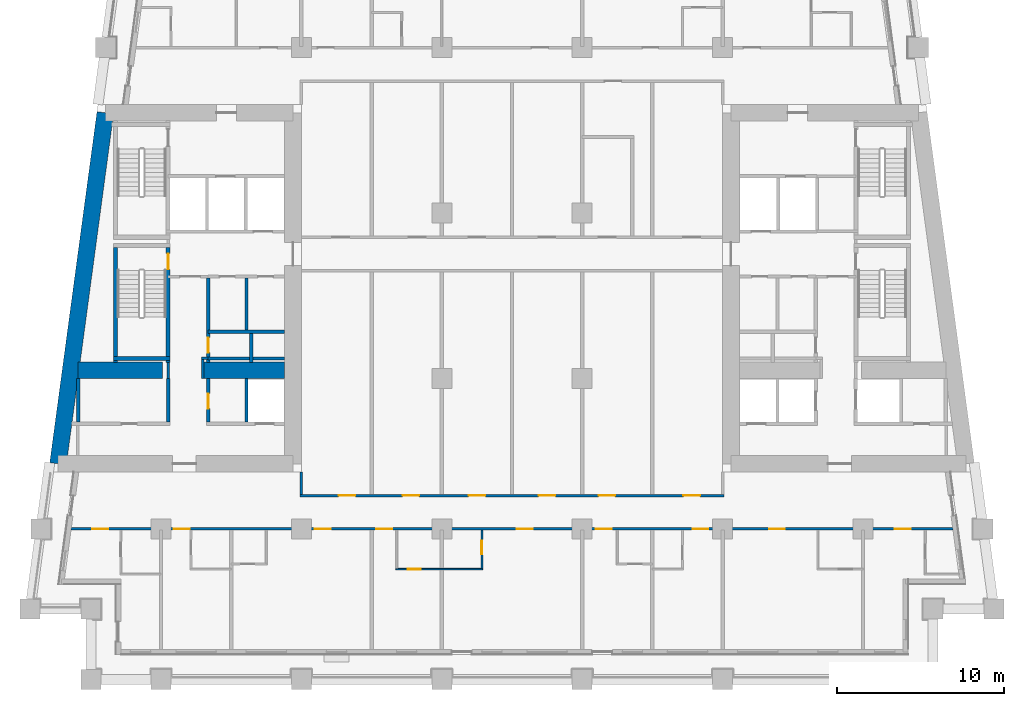
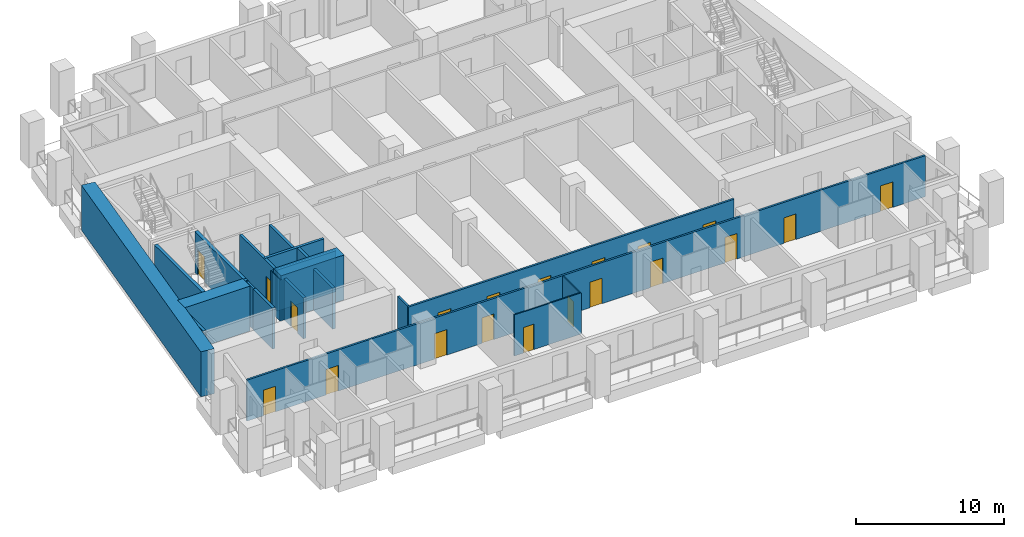
# One storey, part 3 of 13: 23 walls, 20 doors, 20 openings.
"""IFC4 building model written with IfcOpenShell, lengths in metres."""

from ifc_helpers import new_model, si_unit, direction, frame, frame_2d, origin, place, context, subcontext, project, spatial, rectangle, extrude, material, layer, layer_set, type_object, element, fill, save


model = new_model("IFC4")

# Units and contexts
model_context = context("Model", 3, precision=1e-05, world=origin(), true_north=direction((0.0, 1.0)))
body_context = subcontext(model_context, "Body", "Model", "MODEL_VIEW")
ifc_project = project(units=[si_unit("LENGTHUNIT", "METRE"), si_unit("AREAUNIT", "SQUARE_METRE"), si_unit("VOLUMEUNIT", "CUBIC_METRE"), si_unit("PLANEANGLEUNIT", "RADIAN"), si_unit("MASSUNIT", "GRAM", prefix="KILO")], contexts=[model_context])

# Site, building, storey
site_placement = place(None, origin())
site = spatial("IfcSite", under=ifc_project, at=site_placement, CompositionType="ELEMENT")
building_placement = place(site_placement, origin())
building = spatial("IfcBuilding", under=site, at=building_placement, Name="Candeia Pilgrim Tower and Theatre", CompositionType="ELEMENT")
storey_placement = place(building_placement, frame((0.0, 0.0, 105.800048828125)))
storey = spatial("IfcBuildingStorey", under=building, at=storey_placement, Name="L24", CompositionType="ELEMENT", Elevation=105.800048828125)

# Walls
ifc_material_1 = material(Name="Concrete C70/85", Category="concrete")
ifc_layer_1 = layer(ifc_material_1, 1.0)
ifc_layer_set_1 = layer_set([ifc_layer_1], Name="Core wall 1000 C70/85")
wall_type_1 = type_object("IfcWallType", Name="Core wall 1000 C70/85", PredefinedType="SHEAR", material=ifc_layer_set_1)
wall_1_placement = place(storey_placement, frame((86.240966796875, 110.89990234375, 0.0), z_axis=(0.0, 0.0, 1.0), x_axis=(0.133411141623, 0.991060778808, 0.0)))
element("IfcWall", 1, at=wall_1_placement, inside=storey, type_object=wall_type_1, Name="Core wall W4", PredefinedType="SHEAR", context=body_context, shape_type="SweptSolid", body=[
    extrude(rectangle(XDim=21.189453125, YDim=1.0, at=frame_2d((10.5947265625, 0.0))), origin(), (0.0, 0.0, 1.0), 3.699951171875),
])
wall_2_placement = place(storey_placement, frame((87.423095703125, 116.5, 0.0), z_axis=(0.0, 0.0, 1.0), x_axis=(1.0, 0.0, 0.0)))
element("IfcWall", 2, at=wall_2_placement, inside=storey, type_object=wall_type_1, Name="Core wall W5", PredefinedType="SHEAR", context=body_context, shape_type="SweptSolid", body=[
    extrude(rectangle(XDim=5.076904296875, YDim=1.0, at=frame_2d((2.53857421875, 0.0))), origin(), (0.0, 0.0, 1.0), 3.699951171875),
])
wall_3_placement = place(storey_placement, frame((94.89990234375, 116.5, 0.0), z_axis=(0.0, 0.0, 1.0), x_axis=(1.0, 0.0, 0.0)))
element("IfcWall", 3, at=wall_3_placement, inside=storey, type_object=wall_type_1, Name="Core wall W6", PredefinedType="SHEAR", context=body_context, shape_type="SweptSolid", body=[
    extrude(rectangle(XDim=4.900146484375, YDim=1.0, at=frame_2d((2.4501953125, 0.0))), origin(), (0.0, 0.0, 1.0), 3.699951171875),
])

# Wall, opening, door
ifc_material_2 = material(Name="Gypsum board partition on steel studs", Category="steel")
ifc_layer_2 = layer(ifc_material_2, 0.10009765625)
ifc_layer_set_2 = layer_set([ifc_layer_2], Name="PW-100 room partition")
wall_type_2 = type_object("IfcWallType", Name="PW-100 room partition", PredefinedType="PARTITIONING", material=ifc_layer_set_2)
wall_4_placement = place(storey_placement, frame((106.449951171875, 104.60009765625, 0.0), z_axis=(0.0, 0.0, 1.0), x_axis=(1.0, 0.0, 0.0)))
wall_4 = element("IfcWall", 4, at=wall_4_placement, inside=storey, type_object=wall_type_2, Name="Room partition L24-004", PredefinedType="PARTITIONING", context=body_context, shape_type="SweptSolid", body=[
    extrude(rectangle(XDim=5.199951171875, YDim=0.10009765625, at=frame_2d((2.60009765625, 0.0))), origin(), (0.0, 0.0, 1.0), 3.3798828125),
])
opening_1_placement = place(wall_4_placement, frame((0.699951171875, 0.0, 0.0)))
opening_1 = element("IfcOpeningElement", 5, at=opening_1_placement, cuts=wall_4, Name="Opening L24-D023", PredefinedType="OPENING", context=body_context, shape_type="SweptSolid", body=[
    extrude(rectangle(XDim=0.800048828125, YDim=2.10009765625, at=frame_2d((0.39990234375, 1.050048828125))), frame((0.0, 0.06005859375, 0.0), z_axis=(0.0, -1.0, 0.0), x_axis=(1.0, 0.0, 0.0)), (0.0, 0.0, 1.0), 0.1201171875),
])
ifc_material_3 = material(Name="Timber door leaf", Category="wood")
door_type_1 = type_object("IfcDoorType", Name="D-800", OperationType="NOTDEFINED", PredefinedType="DOOR", material=ifc_material_3)
door_1_placement = place(opening_1_placement, origin())
door_1 = element("IfcDoor", 6, at=door_1_placement, inside=storey, type_object=door_type_1, Name="Door L24-D023", OperationType="SINGLE_SWING_LEFT", OverallHeight=2.10009765625, OverallWidth=0.800048828125, PredefinedType="DOOR", context=body_context, shape_type="SweptSolid", body=[
    extrude(rectangle(XDim=0.800048828125, YDim=2.10009765625, at=frame_2d((0.39990234375, 1.050048828125))), frame((0.0, 0.02490234375, 0.0), z_axis=(0.0, -1.0, 0.0), x_axis=(1.0, 0.0, 0.0)), (0.0, 0.0, 1.0), 0.050048828125),
])
fill(opening_1, door_1)

wall_5_placement = place(storey_placement, frame((111.60009765625, 104.64990234375, 0.0), z_axis=(0.0, 0.0, 1.0), x_axis=(0.0, 1.0, 0.0)))
wall_5 = element("IfcWall", 7, at=wall_5_placement, inside=storey, type_object=wall_type_2, Name="Room partition L24-085", PredefinedType="PARTITIONING", context=body_context, shape_type="SweptSolid", body=[
    extrude(rectangle(XDim=2.275146484375, YDim=0.10009765625, at=frame_2d((1.1376953125, 0.0))), origin(), (0.0, 0.0, 1.0), 3.3798828125),
])
opening_2_placement = place(wall_5_placement, frame((0.840087890625, 0.0, 0.0)))
opening_2 = element("IfcOpeningElement", 8, at=opening_2_placement, cuts=wall_5, Name="Opening L24-D025", PredefinedType="OPENING", context=body_context, shape_type="SweptSolid", body=[
    extrude(rectangle(XDim=0.800048828125, YDim=2.10009765625, at=frame_2d((0.39990234375, 1.050048828125))), frame((0.0, 0.06005859375, 0.0), z_axis=(0.0, -1.0, 0.0), x_axis=(1.0, 0.0, 0.0)), (0.0, 0.0, 1.0), 0.1201171875),
])
door_2_placement = place(opening_2_placement, origin())
door_2 = element("IfcDoor", 9, at=door_2_placement, inside=storey, type_object=door_type_1, Name="Door L24-D025", OperationType="SINGLE_SWING_LEFT", OverallHeight=2.10009765625, OverallWidth=0.800048828125, PredefinedType="DOOR", context=body_context, shape_type="SweptSolid", body=[
    extrude(rectangle(XDim=0.800048828125, YDim=2.10009765625, at=frame_2d((0.39990234375, 1.050048828125))), frame((0.0, 0.02490234375, 0.0), z_axis=(0.0, -1.0, 0.0), x_axis=(1.0, 0.0, 0.0)), (0.0, 0.0, 1.0), 0.050048828125),
])
fill(opening_2, door_2)

# Walls
ifc_layer_3 = layer(ifc_material_2, 0.14990234375)
ifc_layer_set_3 = layer_set([ifc_layer_3], Name="PW-150 lobby wall")
wall_type_3 = type_object("IfcWallType", Name="PW-150 lobby wall", PredefinedType="PARTITIONING", material=ifc_layer_set_3)
wall_6_placement = place(storey_placement, frame((94.824951171875, 117.199951171875, 0.0), z_axis=(0.0, 0.0, 1.0), x_axis=(1.0, 0.0, 0.0)))
element("IfcWall", 10, at=wall_6_placement, inside=storey, type_object=wall_type_3, Name="Lobby wall L24-017", PredefinedType="PARTITIONING", context=body_context, shape_type="SweptSolid", body=[
    extrude(rectangle(XDim=0.402099609375, YDim=0.14990234375, at=frame_2d((0.201171875, 0.0))), origin(), (0.0, 0.0, 1.0), 3.3798828125),
])
wall_7_placement = place(storey_placement, frame((92.826904296875, 116.0, 0.0), z_axis=(0.0, 0.0, 1.0), x_axis=(0.0, 1.0, 0.0)))
element("IfcWall", 11, at=wall_7_placement, inside=storey, type_object=wall_type_3, Name="Lobby wall L24-055", PredefinedType="PARTITIONING", context=body_context, shape_type="SweptSolid", body=[
    extrude(rectangle(XDim=0.969970703125, YDim=0.14990234375, at=frame_2d((0.48486328125, 0.0))), origin(), (0.0, 0.0, 1.0), 3.3798828125),
])
wall_8_placement = place(storey_placement, frame((94.89990234375, 116.0, 0.0), z_axis=(0.0, 0.0, 1.0), x_axis=(0.0, 1.0, 0.0)))
element("IfcWall", 12, at=wall_8_placement, inside=storey, type_object=wall_type_3, Name="Lobby wall L24-061", PredefinedType="PARTITIONING", context=body_context, shape_type="SweptSolid", body=[
    extrude(rectangle(XDim=1.125, YDim=0.14990234375, at=frame_2d((0.5625, 0.0))), origin(), (0.0, 0.0, 1.0), 3.3798828125),
])

# Wall, openings, doors
ifc_layer_4 = layer(ifc_material_2, 0.14990234375)
ifc_layer_set_4 = layer_set([ifc_layer_4], Name="PW-150 unit wall")
wall_type_4 = type_object("IfcWallType", Name="PW-150 unit wall", PredefinedType="PARTITIONING", material=ifc_layer_set_4)
wall_9_placement = place(storey_placement, frame((87.017578125, 107.0, 0.0), z_axis=(0.0, 0.0, 1.0), x_axis=(1.0, 0.0, 0.0)))
wall_9 = element("IfcWall", 13, at=wall_9_placement, inside=storey, type_object=wall_type_4, Name="Unit wall L24-009", PredefinedType="PARTITIONING", context=body_context, shape_type="SweptSolid", body=[
    extrude(rectangle(XDim=52.7646484375, YDim=0.14990234375, at=frame_2d((26.38232421875, 0.0))), origin(), (0.0, 0.0, 1.0), 3.3798828125),
])
opening_3_placement = place(wall_9_placement, frame((1.2763671875, 0.0, 0.0)))
opening_3 = element("IfcOpeningElement", 14, at=opening_3_placement, cuts=wall_9, Name="Opening L24-D016", PredefinedType="OPENING", context=body_context, shape_type="SweptSolid", body=[
    extrude(rectangle(XDim=0.949951171875, YDim=2.10009765625, at=frame_2d((0.47509765625, 1.050048828125))), frame((0.0, 0.0849609375, 0.0), z_axis=(0.0, -1.0, 0.0), x_axis=(1.0, 0.0, 0.0)), (0.0, 0.0, 1.0), 0.169921875),
])
opening_4_placement = place(wall_9_placement, frame((6.15234375, 0.0, 0.0)))
opening_4 = element("IfcOpeningElement", 15, at=opening_4_placement, cuts=wall_9, Name="Opening L24-D018", PredefinedType="OPENING", context=body_context, shape_type="SweptSolid", body=[
    extrude(rectangle(XDim=0.949951171875, YDim=2.10009765625, at=frame_2d((0.47509765625, 1.050048828125))), frame((0.0, 0.0849609375, 0.0), z_axis=(0.0, -1.0, 0.0), x_axis=(1.0, 0.0, 0.0)), (0.0, 0.0, 1.0), 0.169921875),
])
opening_5_placement = place(wall_9_placement, frame((14.59033203125, 0.0, 0.0)))
opening_5 = element("IfcOpeningElement", 16, at=opening_5_placement, cuts=wall_9, Name="Opening L24-D020", PredefinedType="OPENING", context=body_context, shape_type="SweptSolid", body=[
    extrude(rectangle(XDim=0.949951171875, YDim=2.10009765625, at=frame_2d((0.47509765625, 1.050048828125))), frame((0.0, 0.0849609375, 0.0), z_axis=(0.0, -1.0, 0.0), x_axis=(1.0, 0.0, 0.0)), (0.0, 0.0, 1.0), 0.169921875),
])
opening_6_placement = place(wall_9_placement, frame((18.25732421875, 0.0, 0.0)))
opening_6 = element("IfcOpeningElement", 17, at=opening_6_placement, cuts=wall_9, Name="Opening L24-D022", PredefinedType="OPENING", context=body_context, shape_type="SweptSolid", body=[
    extrude(rectangle(XDim=0.949951171875, YDim=2.10009765625, at=frame_2d((0.47509765625, 1.050048828125))), frame((0.0, 0.0849609375, 0.0), z_axis=(0.0, -1.0, 0.0), x_axis=(1.0, 0.0, 0.0)), (0.0, 0.0, 1.0), 0.169921875),
])
opening_7_placement = place(wall_9_placement, frame((26.67236328125, 0.0, 0.0)))
opening_7 = element("IfcOpeningElement", 18, at=opening_7_placement, cuts=wall_9, Name="Opening L24-D024", PredefinedType="OPENING", context=body_context, shape_type="SweptSolid", body=[
    extrude(rectangle(XDim=0.949951171875, YDim=2.10009765625, at=frame_2d((0.47509765625, 1.050048828125))), frame((0.0, 0.0849609375, 0.0), z_axis=(0.0, -1.0, 0.0), x_axis=(1.0, 0.0, 0.0)), (0.0, 0.0, 1.0), 0.169921875),
])
opening_8_placement = place(wall_9_placement, frame((31.392333984375, 0.0, 0.0)))
opening_8 = element("IfcOpeningElement", 19, at=opening_8_placement, cuts=wall_9, Name="Opening L24-D026", PredefinedType="OPENING", context=body_context, shape_type="SweptSolid", body=[
    extrude(rectangle(XDim=0.949951171875, YDim=2.10009765625, at=frame_2d((0.47509765625, 1.050048828125))), frame((0.0, 0.0849609375, 0.0), z_axis=(0.0, -1.0, 0.0), x_axis=(1.0, 0.0, 0.0)), (0.0, 0.0, 1.0), 0.169921875),
])
opening_9_placement = place(wall_9_placement, frame((37.182373046875, 0.0, 0.0)))
opening_9 = element("IfcOpeningElement", 20, at=opening_9_placement, cuts=wall_9, Name="Opening L24-D028", PredefinedType="OPENING", context=body_context, shape_type="SweptSolid", body=[
    extrude(rectangle(XDim=0.949951171875, YDim=2.10009765625, at=frame_2d((0.47509765625, 1.050048828125))), frame((0.0, 0.0849609375, 0.0), z_axis=(0.0, -1.0, 0.0), x_axis=(1.0, 0.0, 0.0)), (0.0, 0.0, 1.0), 0.169921875),
])
opening_10_placement = place(wall_9_placement, frame((41.76220703125, 0.0, 0.0)))
opening_10 = element("IfcOpeningElement", 21, at=opening_10_placement, cuts=wall_9, Name="Opening L24-D030", PredefinedType="OPENING", context=body_context, shape_type="SweptSolid", body=[
    extrude(rectangle(XDim=0.949951171875, YDim=2.10009765625, at=frame_2d((0.47509765625, 1.050048828125))), frame((0.0, 0.0849609375, 0.0), z_axis=(0.0, -1.0, 0.0), x_axis=(1.0, 0.0, 0.0)), (0.0, 0.0, 1.0), 0.169921875),
])
opening_11_placement = place(wall_9_placement, frame((49.285400390625, 0.0, 0.0)))
opening_11 = element("IfcOpeningElement", 22, at=opening_11_placement, cuts=wall_9, Name="Opening L24-D032", PredefinedType="OPENING", context=body_context, shape_type="SweptSolid", body=[
    extrude(rectangle(XDim=0.949951171875, YDim=2.10009765625, at=frame_2d((0.47509765625, 1.050048828125))), frame((0.0, 0.0849609375, 0.0), z_axis=(0.0, -1.0, 0.0), x_axis=(1.0, 0.0, 0.0)), (0.0, 0.0, 1.0), 0.169921875),
])
ifc_material_4 = material(Name="Steel fire door set", Category="steel")
door_type_2 = type_object("IfcDoorType", Name="D-950-FD30S", OperationType="NOTDEFINED", PredefinedType="DOOR", material=ifc_material_4)
door_3_placement = place(opening_3_placement, origin())
door_3 = element("IfcDoor", 23, at=door_3_placement, inside=storey, type_object=door_type_2, Name="Door L24-D016", OperationType="SINGLE_SWING_RIGHT", OverallHeight=2.10009765625, OverallWidth=0.949951171875, PredefinedType="DOOR", context=body_context, shape_type="SweptSolid", body=[
    extrude(rectangle(XDim=0.949951171875, YDim=2.10009765625, at=frame_2d((0.47509765625, 1.050048828125))), frame((0.0, 0.02490234375, 0.0), z_axis=(0.0, -1.0, 0.0), x_axis=(1.0, 0.0, 0.0)), (0.0, 0.0, 1.0), 0.050048828125),
])
fill(opening_3, door_3)
door_4_placement = place(opening_4_placement, origin())
door_4 = element("IfcDoor", 24, at=door_4_placement, inside=storey, type_object=door_type_2, Name="Door L24-D018", OperationType="SINGLE_SWING_RIGHT", OverallHeight=2.10009765625, OverallWidth=0.949951171875, PredefinedType="DOOR", context=body_context, shape_type="SweptSolid", body=[
    extrude(rectangle(XDim=0.949951171875, YDim=2.10009765625, at=frame_2d((0.47509765625, 1.050048828125))), frame((0.0, 0.02490234375, 0.0), z_axis=(0.0, -1.0, 0.0), x_axis=(1.0, 0.0, 0.0)), (0.0, 0.0, 1.0), 0.050048828125),
])
fill(opening_4, door_4)
door_5_placement = place(opening_5_placement, origin())
door_5 = element("IfcDoor", 25, at=door_5_placement, inside=storey, type_object=door_type_2, Name="Door L24-D020", OperationType="SINGLE_SWING_RIGHT", OverallHeight=2.10009765625, OverallWidth=0.949951171875, PredefinedType="DOOR", context=body_context, shape_type="SweptSolid", body=[
    extrude(rectangle(XDim=0.949951171875, YDim=2.10009765625, at=frame_2d((0.47509765625, 1.050048828125))), frame((0.0, 0.02490234375, 0.0), z_axis=(0.0, -1.0, 0.0), x_axis=(1.0, 0.0, 0.0)), (0.0, 0.0, 1.0), 0.050048828125),
])
fill(opening_5, door_5)
door_6_placement = place(opening_6_placement, origin())
door_6 = element("IfcDoor", 26, at=door_6_placement, inside=storey, type_object=door_type_2, Name="Door L24-D022", OperationType="SINGLE_SWING_RIGHT", OverallHeight=2.10009765625, OverallWidth=0.949951171875, PredefinedType="DOOR", context=body_context, shape_type="SweptSolid", body=[
    extrude(rectangle(XDim=0.949951171875, YDim=2.10009765625, at=frame_2d((0.47509765625, 1.050048828125))), frame((0.0, 0.02490234375, 0.0), z_axis=(0.0, -1.0, 0.0), x_axis=(1.0, 0.0, 0.0)), (0.0, 0.0, 1.0), 0.050048828125),
])
fill(opening_6, door_6)
door_7_placement = place(opening_7_placement, origin())
door_7 = element("IfcDoor", 27, at=door_7_placement, inside=storey, type_object=door_type_2, Name="Door L24-D024", OperationType="SINGLE_SWING_RIGHT", OverallHeight=2.10009765625, OverallWidth=0.949951171875, PredefinedType="DOOR", context=body_context, shape_type="SweptSolid", body=[
    extrude(rectangle(XDim=0.949951171875, YDim=2.10009765625, at=frame_2d((0.47509765625, 1.050048828125))), frame((0.0, 0.02490234375, 0.0), z_axis=(0.0, -1.0, 0.0), x_axis=(1.0, 0.0, 0.0)), (0.0, 0.0, 1.0), 0.050048828125),
])
fill(opening_7, door_7)
door_8_placement = place(opening_8_placement, origin())
door_8 = element("IfcDoor", 28, at=door_8_placement, inside=storey, type_object=door_type_2, Name="Door L24-D026", OperationType="SINGLE_SWING_RIGHT", OverallHeight=2.10009765625, OverallWidth=0.949951171875, PredefinedType="DOOR", context=body_context, shape_type="SweptSolid", body=[
    extrude(rectangle(XDim=0.949951171875, YDim=2.10009765625, at=frame_2d((0.47509765625, 1.050048828125))), frame((0.0, 0.02490234375, 0.0), z_axis=(0.0, -1.0, 0.0), x_axis=(1.0, 0.0, 0.0)), (0.0, 0.0, 1.0), 0.050048828125),
])
fill(opening_8, door_8)
door_9_placement = place(opening_9_placement, origin())
door_9 = element("IfcDoor", 29, at=door_9_placement, inside=storey, type_object=door_type_2, Name="Door L24-D028", OperationType="SINGLE_SWING_RIGHT", OverallHeight=2.10009765625, OverallWidth=0.949951171875, PredefinedType="DOOR", context=body_context, shape_type="SweptSolid", body=[
    extrude(rectangle(XDim=0.949951171875, YDim=2.10009765625, at=frame_2d((0.47509765625, 1.050048828125))), frame((0.0, 0.02490234375, 0.0), z_axis=(0.0, -1.0, 0.0), x_axis=(1.0, 0.0, 0.0)), (0.0, 0.0, 1.0), 0.050048828125),
])
fill(opening_9, door_9)
door_10_placement = place(opening_10_placement, origin())
door_10 = element("IfcDoor", 30, at=door_10_placement, inside=storey, type_object=door_type_2, Name="Door L24-D030", OperationType="SINGLE_SWING_RIGHT", OverallHeight=2.10009765625, OverallWidth=0.949951171875, PredefinedType="DOOR", context=body_context, shape_type="SweptSolid", body=[
    extrude(rectangle(XDim=0.949951171875, YDim=2.10009765625, at=frame_2d((0.47509765625, 1.050048828125))), frame((0.0, 0.02490234375, 0.0), z_axis=(0.0, -1.0, 0.0), x_axis=(1.0, 0.0, 0.0)), (0.0, 0.0, 1.0), 0.050048828125),
])
fill(opening_10, door_10)
door_11_placement = place(opening_11_placement, origin())
door_11 = element("IfcDoor", 31, at=door_11_placement, inside=storey, type_object=door_type_2, Name="Door L24-D032", OperationType="SINGLE_SWING_RIGHT", OverallHeight=2.10009765625, OverallWidth=0.949951171875, PredefinedType="DOOR", context=body_context, shape_type="SweptSolid", body=[
    extrude(rectangle(XDim=0.949951171875, YDim=2.10009765625, at=frame_2d((0.47509765625, 1.050048828125))), frame((0.0, 0.02490234375, 0.0), z_axis=(0.0, -1.0, 0.0), x_axis=(1.0, 0.0, 0.0)), (0.0, 0.0, 1.0), 0.050048828125),
])
fill(opening_11, door_11)

wall_10_placement = place(storey_placement, frame((100.72509765625, 109.0, 0.0), z_axis=(0.0, 0.0, 1.0), x_axis=(1.0, 0.0, 0.0)))
wall_10 = element("IfcWall", 32, at=wall_10_placement, inside=storey, type_object=wall_type_4, Name="Unit wall L24-010", PredefinedType="PARTITIONING", context=body_context, shape_type="SweptSolid", body=[
    extrude(rectangle(XDim=25.349853515625, YDim=0.14990234375, at=frame_2d((12.6748046875, 0.0))), origin(), (0.0, 0.0, 1.0), 3.3798828125),
])
opening_12_placement = place(wall_10_placement, frame((2.300048828125, 0.0, 0.0)))
opening_12 = element("IfcOpeningElement", 33, at=opening_12_placement, cuts=wall_10, Name="Opening L24-D047", PredefinedType="OPENING", context=body_context, shape_type="SweptSolid", body=[
    extrude(rectangle(XDim=1.0, YDim=2.10009765625, at=frame_2d((0.5, 1.050048828125))), frame((0.0, 0.0849609375, 0.0), z_axis=(0.0, -1.0, 0.0), x_axis=(1.0, 0.0, 0.0)), (0.0, 0.0, 1.0), 0.169921875),
])
opening_13_placement = place(wall_10_placement, frame((6.125, 0.0, 0.0)))
opening_13 = element("IfcOpeningElement", 34, at=opening_13_placement, cuts=wall_10, Name="Opening L24-D048", PredefinedType="OPENING", context=body_context, shape_type="SweptSolid", body=[
    extrude(rectangle(XDim=1.0, YDim=2.10009765625, at=frame_2d((0.5, 1.050048828125))), frame((0.0, 0.0849609375, 0.0), z_axis=(0.0, -1.0, 0.0), x_axis=(1.0, 0.0, 0.0)), (0.0, 0.0, 1.0), 0.169921875),
])
opening_14_placement = place(wall_10_placement, frame((10.074951171875, 0.0, 0.0)))
opening_14 = element("IfcOpeningElement", 35, at=opening_14_placement, cuts=wall_10, Name="Opening L24-D049", PredefinedType="OPENING", context=body_context, shape_type="SweptSolid", body=[
    extrude(rectangle(XDim=1.0, YDim=2.10009765625, at=frame_2d((0.5, 1.050048828125))), frame((0.0, 0.0849609375, 0.0), z_axis=(0.0, -1.0, 0.0), x_axis=(1.0, 0.0, 0.0)), (0.0, 0.0, 1.0), 0.169921875),
])
opening_15_placement = place(wall_10_placement, frame((14.27490234375, 0.0, 0.0)))
opening_15 = element("IfcOpeningElement", 36, at=opening_15_placement, cuts=wall_10, Name="Opening L24-D050", PredefinedType="OPENING", context=body_context, shape_type="SweptSolid", body=[
    extrude(rectangle(XDim=1.0, YDim=2.10009765625, at=frame_2d((0.5, 1.050048828125))), frame((0.0, 0.0849609375, 0.0), z_axis=(0.0, -1.0, 0.0), x_axis=(1.0, 0.0, 0.0)), (0.0, 0.0, 1.0), 0.169921875),
])
opening_16_placement = place(wall_10_placement, frame((17.85009765625, 0.0, 0.0)))
opening_16 = element("IfcOpeningElement", 37, at=opening_16_placement, cuts=wall_10, Name="Opening L24-D051", PredefinedType="OPENING", context=body_context, shape_type="SweptSolid", body=[
    extrude(rectangle(XDim=1.0, YDim=2.10009765625, at=frame_2d((0.5, 1.050048828125))), frame((0.0, 0.0849609375, 0.0), z_axis=(0.0, -1.0, 0.0), x_axis=(1.0, 0.0, 0.0)), (0.0, 0.0, 1.0), 0.169921875),
])
opening_17_placement = place(wall_10_placement, frame((22.925048828125, 0.0, 0.0)))
opening_17 = element("IfcOpeningElement", 38, at=opening_17_placement, cuts=wall_10, Name="Opening L24-D052", PredefinedType="OPENING", context=body_context, shape_type="SweptSolid", body=[
    extrude(rectangle(XDim=1.0, YDim=2.10009765625, at=frame_2d((0.5, 1.050048828125))), frame((0.0, 0.0849609375, 0.0), z_axis=(0.0, -1.0, 0.0), x_axis=(1.0, 0.0, 0.0)), (0.0, 0.0, 1.0), 0.169921875),
])
door_type_3 = type_object("IfcDoorType", Name="D-1000-FD30S", OperationType="NOTDEFINED", PredefinedType="DOOR", material=ifc_material_4)
door_12_placement = place(opening_12_placement, origin())
door_12 = element("IfcDoor", 39, at=door_12_placement, inside=storey, type_object=door_type_3, Name="Door L24-D047", OperationType="SINGLE_SWING_LEFT", OverallHeight=2.10009765625, OverallWidth=1.0, PredefinedType="DOOR", context=body_context, shape_type="SweptSolid", body=[
    extrude(rectangle(XDim=1.0, YDim=2.10009765625, at=frame_2d((0.5, 1.050048828125))), frame((0.0, 0.02490234375, 0.0), z_axis=(0.0, -1.0, 0.0), x_axis=(1.0, 0.0, 0.0)), (0.0, 0.0, 1.0), 0.050048828125),
])
fill(opening_12, door_12)
door_13_placement = place(opening_13_placement, origin())
door_13 = element("IfcDoor", 40, at=door_13_placement, inside=storey, type_object=door_type_3, Name="Door L24-D048", OperationType="SINGLE_SWING_RIGHT", OverallHeight=2.10009765625, OverallWidth=1.0, PredefinedType="DOOR", context=body_context, shape_type="SweptSolid", body=[
    extrude(rectangle(XDim=1.0, YDim=2.10009765625, at=frame_2d((0.5, 1.050048828125))), frame((0.0, 0.02490234375, 0.0), z_axis=(0.0, -1.0, 0.0), x_axis=(1.0, 0.0, 0.0)), (0.0, 0.0, 1.0), 0.050048828125),
])
fill(opening_13, door_13)
door_14_placement = place(opening_14_placement, origin())
door_14 = element("IfcDoor", 41, at=door_14_placement, inside=storey, type_object=door_type_3, Name="Door L24-D049", OperationType="SINGLE_SWING_LEFT", OverallHeight=2.10009765625, OverallWidth=1.0, PredefinedType="DOOR", context=body_context, shape_type="SweptSolid", body=[
    extrude(rectangle(XDim=1.0, YDim=2.10009765625, at=frame_2d((0.5, 1.050048828125))), frame((0.0, 0.02490234375, 0.0), z_axis=(0.0, -1.0, 0.0), x_axis=(1.0, 0.0, 0.0)), (0.0, 0.0, 1.0), 0.050048828125),
])
fill(opening_14, door_14)
door_15_placement = place(opening_15_placement, origin())
door_15 = element("IfcDoor", 42, at=door_15_placement, inside=storey, type_object=door_type_3, Name="Door L24-D050", OperationType="SINGLE_SWING_RIGHT", OverallHeight=2.10009765625, OverallWidth=1.0, PredefinedType="DOOR", context=body_context, shape_type="SweptSolid", body=[
    extrude(rectangle(XDim=1.0, YDim=2.10009765625, at=frame_2d((0.5, 1.050048828125))), frame((0.0, 0.02490234375, 0.0), z_axis=(0.0, -1.0, 0.0), x_axis=(1.0, 0.0, 0.0)), (0.0, 0.0, 1.0), 0.050048828125),
])
fill(opening_15, door_15)
door_16_placement = place(opening_16_placement, origin())
door_16 = element("IfcDoor", 43, at=door_16_placement, inside=storey, type_object=door_type_3, Name="Door L24-D051", OperationType="SINGLE_SWING_LEFT", OverallHeight=2.10009765625, OverallWidth=1.0, PredefinedType="DOOR", context=body_context, shape_type="SweptSolid", body=[
    extrude(rectangle(XDim=1.0, YDim=2.10009765625, at=frame_2d((0.5, 1.050048828125))), frame((0.0, 0.02490234375, 0.0), z_axis=(0.0, -1.0, 0.0), x_axis=(1.0, 0.0, 0.0)), (0.0, 0.0, 1.0), 0.050048828125),
])
fill(opening_16, door_16)
door_17_placement = place(opening_17_placement, origin())
door_17 = element("IfcDoor", 44, at=door_17_placement, inside=storey, type_object=door_type_3, Name="Door L24-D052", OperationType="SINGLE_SWING_RIGHT", OverallHeight=2.10009765625, OverallWidth=1.0, PredefinedType="DOOR", context=body_context, shape_type="SweptSolid", body=[
    extrude(rectangle(XDim=1.0, YDim=2.10009765625, at=frame_2d((0.5, 1.050048828125))), frame((0.0, 0.02490234375, 0.0), z_axis=(0.0, -1.0, 0.0), x_axis=(1.0, 0.0, 0.0)), (0.0, 0.0, 1.0), 0.050048828125),
])
fill(opening_17, door_17)

# Walls
wall_11_placement = place(storey_placement, frame((100.800048828125, 109.074951171875, 0.0), z_axis=(0.0, 0.0, 1.0), x_axis=(0.0, 1.0, 0.0)))
element("IfcWall", 45, at=wall_11_placement, inside=storey, type_object=wall_type_4, Name="Unit wall L24-073", PredefinedType="PARTITIONING", context=body_context, shape_type="SweptSolid", body=[
    extrude(rectangle(XDim=1.324951171875, YDim=0.14990234375, at=frame_2d((0.66259765625, 0.0))), origin(), (0.0, 0.0, 1.0), 3.3798828125),
])
ifc_material_5 = material(Name="Concrete C40/50", Category="concrete")
ifc_layer_5 = layer(ifc_material_5, 0.199951171875)
ifc_layer_set_5 = layer_set([ifc_layer_5], Name="SW-200 shaft wall")
wall_type_5 = type_object("IfcWallType", Name="SW-200 shaft wall", PredefinedType="PARTITIONING", material=ifc_layer_set_5)
for number, where, z_axis, x_axis, name in (
    (46, (95.22705078125, 117.199951171875, 0.0), (0.0, 0.0, 1.0), (1.0, 0.0, 0.0), "Shaft wall L24-015"),
    (47, (95.22705078125, 118.800048828125, 0.0), (0.0, 0.0, 1.0), (1.0, 0.0, 0.0), "Shaft wall L24-021"),
):
    element("IfcWall", number, at=place(storey_placement, frame(where, z_axis=z_axis, x_axis=x_axis)), inside=storey, type_object=wall_type_5, Name=name, PredefinedType="PARTITIONING", context=body_context, shape_type="SweptSolid", body=[
        extrude(rectangle(XDim=4.572998046875, YDim=0.199951171875, at=frame_2d((2.28662109375, 0.0))), origin(), (0.0, 0.0, 1.0), 3.3798828125),
    ])
for number, where, z_axis, x_axis, name in (
    (48, (87.451171875, 113.39990234375, 0.0), (0.0, 0.0, 1.0), (0.0, 1.0, 0.0), "Shaft wall L24-048"),
    (49, (92.826904296875, 113.39990234375, 0.0), (0.0, 0.0, 1.0), (0.0, 1.0, 0.0), "Shaft wall L24-054"),
):
    element("IfcWall", number, at=place(storey_placement, frame(where, z_axis=z_axis, x_axis=x_axis)), inside=storey, type_object=wall_type_5, Name=name, PredefinedType="PARTITIONING", context=body_context, shape_type="SweptSolid", body=[
        extrude(rectangle(XDim=2.60009765625, YDim=0.199951171875, at=frame_2d((1.300048828125, 0.0))), origin(), (0.0, 0.0, 1.0), 3.3798828125),
    ])

# Wall, opening, door
wall_12_placement = place(storey_placement, frame((95.22705078125, 113.39990234375, 0.0), z_axis=(0.0, 0.0, 1.0), x_axis=(0.0, 1.0, 0.0)))
wall_12 = element("IfcWall", 50, at=wall_12_placement, inside=storey, type_object=wall_type_5, Name="Shaft wall L24-063", PredefinedType="PARTITIONING", context=body_context, shape_type="SweptSolid", body=[
    extrude(rectangle(XDim=2.60009765625, YDim=0.199951171875, at=frame_2d((1.300048828125, 0.0))), origin(), (0.0, 0.0, 1.0), 3.3798828125),
])
opening_18_placement = place(wall_12_placement, frame((0.800048828125, 0.0, 0.0)))
opening_18 = element("IfcOpeningElement", 51, at=opening_18_placement, cuts=wall_12, Name="Opening L24-D008", PredefinedType="OPENING", context=body_context, shape_type="SweptSolid", body=[
    extrude(rectangle(XDim=0.89990234375, YDim=2.10009765625, at=frame_2d((0.449951171875, 1.050048828125))), frame((0.0, 0.10986328125, 0.0), z_axis=(0.0, -1.0, 0.0), x_axis=(1.0, 0.0, 0.0)), (0.0, 0.0, 1.0), 0.219970703125),
])
door_type_4 = type_object("IfcDoorType", Name="D-900-FD60", OperationType="NOTDEFINED", PredefinedType="DOOR", material=ifc_material_4)
door_18_placement = place(opening_18_placement, origin())
door_18 = element("IfcDoor", 52, at=door_18_placement, inside=storey, type_object=door_type_4, Name="Door L24-D008", OperationType="SINGLE_SWING_LEFT", OverallHeight=2.10009765625, OverallWidth=0.89990234375, PredefinedType="DOOR", context=body_context, shape_type="SweptSolid", body=[
    extrude(rectangle(XDim=0.89990234375, YDim=2.10009765625, at=frame_2d((0.449951171875, 1.050048828125))), frame((0.0, 0.02490234375, 0.0), z_axis=(0.0, -1.0, 0.0), x_axis=(1.0, 0.0, 0.0)), (0.0, 0.0, 1.0), 0.050048828125),
])
fill(opening_18, door_18)

wall_13_placement = place(storey_placement, frame((95.22705078125, 116.969970703125, 0.0), z_axis=(0.0, 0.0, 1.0), x_axis=(0.0, 1.0, 0.0)))
wall_13 = element("IfcWall", 53, at=wall_13_placement, inside=storey, type_object=wall_type_5, Name="Shaft wall L24-064", PredefinedType="PARTITIONING", context=body_context, shape_type="SweptSolid", body=[
    extrude(rectangle(XDim=5.030029296875, YDim=0.199951171875, at=frame_2d((2.51513671875, 0.0))), origin(), (0.0, 0.0, 1.0), 3.3798828125),
])
opening_19_placement = place(wall_13_placement, frame((0.580078125, 0.0, 0.0)))
opening_19 = element("IfcOpeningElement", 54, at=opening_19_placement, cuts=wall_13, Name="Opening L24-D006", PredefinedType="OPENING", context=body_context, shape_type="SweptSolid", body=[
    extrude(rectangle(XDim=0.89990234375, YDim=2.10009765625, at=frame_2d((0.449951171875, 1.050048828125))), frame((0.0, 0.10986328125, 0.0), z_axis=(0.0, -1.0, 0.0), x_axis=(1.0, 0.0, 0.0)), (0.0, 0.0, 1.0), 0.219970703125),
])
door_19_placement = place(opening_19_placement, origin())
door_19 = element("IfcDoor", 55, at=door_19_placement, inside=storey, type_object=door_type_4, Name="Door L24-D006", OperationType="SINGLE_SWING_RIGHT", OverallHeight=2.10009765625, OverallWidth=0.89990234375, PredefinedType="DOOR", context=body_context, shape_type="SweptSolid", body=[
    extrude(rectangle(XDim=0.89990234375, YDim=2.10009765625, at=frame_2d((0.449951171875, 1.050048828125))), frame((0.0, 0.02490234375, 0.0), z_axis=(0.0, -1.0, 0.0), x_axis=(1.0, 0.0, 0.0)), (0.0, 0.0, 1.0), 0.050048828125),
])
fill(opening_19, door_19)

# Walls
wall_14_placement = place(storey_placement, frame((97.513427734375, 113.39990234375, 0.0), z_axis=(0.0, 0.0, 1.0), x_axis=(0.0, 1.0, 0.0)))
element("IfcWall", 56, at=wall_14_placement, inside=storey, type_object=wall_type_5, Name="Shaft wall L24-068", PredefinedType="PARTITIONING", context=body_context, shape_type="SweptSolid", body=[
    extrude(rectangle(XDim=2.60009765625, YDim=0.199951171875, at=frame_2d((1.300048828125, 0.0))), origin(), (0.0, 0.0, 1.0), 3.3798828125),
])
wall_15_placement = place(storey_placement, frame((97.513427734375, 118.89990234375, 0.0), z_axis=(0.0, 0.0, 1.0), x_axis=(0.0, 1.0, 0.0)))
element("IfcWall", 57, at=wall_15_placement, inside=storey, type_object=wall_type_5, Name="Shaft wall L24-069", PredefinedType="PARTITIONING", context=body_context, shape_type="SweptSolid", body=[
    extrude(rectangle(XDim=3.10009765625, YDim=0.199951171875, at=frame_2d((1.550048828125, 0.0))), origin(), (0.0, 0.0, 1.0), 3.3798828125),
])
wall_16_placement = place(storey_placement, frame((97.800048828125, 116.969970703125, 0.0), z_axis=(0.0, 0.0, 1.0), x_axis=(0.0, 1.0, 0.0)))
element("IfcWall", 58, at=wall_16_placement, inside=storey, type_object=wall_type_5, Name="Shaft wall L24-070", PredefinedType="PARTITIONING", context=body_context, shape_type="SweptSolid", body=[
    extrude(rectangle(XDim=1.72998046875, YDim=0.199951171875, at=frame_2d((0.864990234375, 0.0))), origin(), (0.0, 0.0, 1.0), 3.3798828125),
])
ifc_layer_6 = layer(ifc_material_5, 0.25)
ifc_layer_set_6 = layer_set([ifc_layer_6], Name="SW-250 stair wall")
wall_type_6 = type_object("IfcWallType", Name="SW-250 stair wall", PredefinedType="PARTITIONING", material=ifc_layer_set_6)
wall_17_placement = place(storey_placement, frame((89.552001953125, 117.199951171875, 0.0), z_axis=(0.0, 0.0, 1.0), x_axis=(1.0, 0.0, 0.0)))
element("IfcWall", 59, at=wall_17_placement, inside=storey, type_object=wall_type_6, Name="Stair wall L24-019", PredefinedType="PARTITIONING", context=body_context, shape_type="SweptSolid", body=[
    extrude(rectangle(XDim=3.39990234375, YDim=0.25, at=frame_2d((1.699951171875, 0.0))), origin(), (0.0, 0.0, 1.0), 3.3798828125),
])
wall_18_placement = place(storey_placement, frame((89.677001953125, 116.969970703125, 0.0), z_axis=(0.0, 0.0, 1.0), x_axis=(0.0, 1.0, 0.0)))
element("IfcWall", 60, at=wall_18_placement, inside=storey, type_object=wall_type_6, Name="Stair wall L24-050", PredefinedType="PARTITIONING", context=body_context, shape_type="SweptSolid", body=[
    extrude(rectangle(XDim=6.85498046875, YDim=0.25, at=frame_2d((3.427490234375, 0.0))), origin(), (0.0, 0.0, 1.0), 3.3798828125),
])

# Wall, opening, door
wall_19_placement = place(storey_placement, frame((92.826904296875, 116.969970703125, 0.0), z_axis=(0.0, 0.0, 1.0), x_axis=(0.0, 1.0, 0.0)))
wall_19 = element("IfcWall", 61, at=wall_19_placement, inside=storey, type_object=wall_type_6, Name="Stair wall L24-057", PredefinedType="PARTITIONING", context=body_context, shape_type="SweptSolid", body=[
    extrude(rectangle(XDim=6.85498046875, YDim=0.25, at=frame_2d((3.427490234375, 0.0))), origin(), (0.0, 0.0, 1.0), 3.3798828125),
])
opening_20_placement = place(wall_19_placement, frame((5.554931640625, 0.0, 0.0)))
opening_20 = element("IfcOpeningElement", 62, at=opening_20_placement, cuts=wall_19, Name="Opening L24-D004", PredefinedType="OPENING", context=body_context, shape_type="SweptSolid", body=[
    extrude(rectangle(XDim=0.949951171875, YDim=2.10009765625, at=frame_2d((0.47509765625, 1.050048828125))), frame((0.0, 0.135009765625, 0.0), z_axis=(0.0, -1.0, 0.0), x_axis=(1.0, 0.0, 0.0)), (0.0, 0.0, 1.0), 0.27001953125),
])
door_type_5 = type_object("IfcDoorType", Name="D-950-FD60", OperationType="NOTDEFINED", PredefinedType="DOOR", material=ifc_material_4)
door_20_placement = place(opening_20_placement, origin())
door_20 = element("IfcDoor", 63, at=door_20_placement, inside=storey, type_object=door_type_5, Name="Door L24-D004", OperationType="SINGLE_SWING_RIGHT", OverallHeight=2.10009765625, OverallWidth=0.949951171875, PredefinedType="DOOR", context=body_context, shape_type="SweptSolid", body=[
    extrude(rectangle(XDim=0.949951171875, YDim=2.10009765625, at=frame_2d((0.47509765625, 1.050048828125))), frame((0.0, 0.02490234375, 0.0), z_axis=(0.0, -1.0, 0.0), x_axis=(1.0, 0.0, 0.0)), (0.0, 0.0, 1.0), 0.050048828125),
])
fill(opening_20, door_20)

save(model, "model.ifc")
